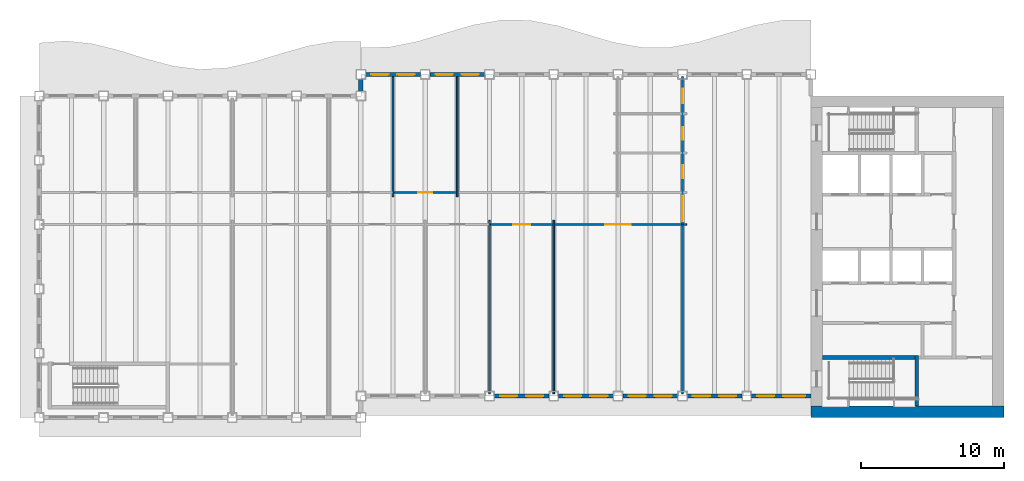
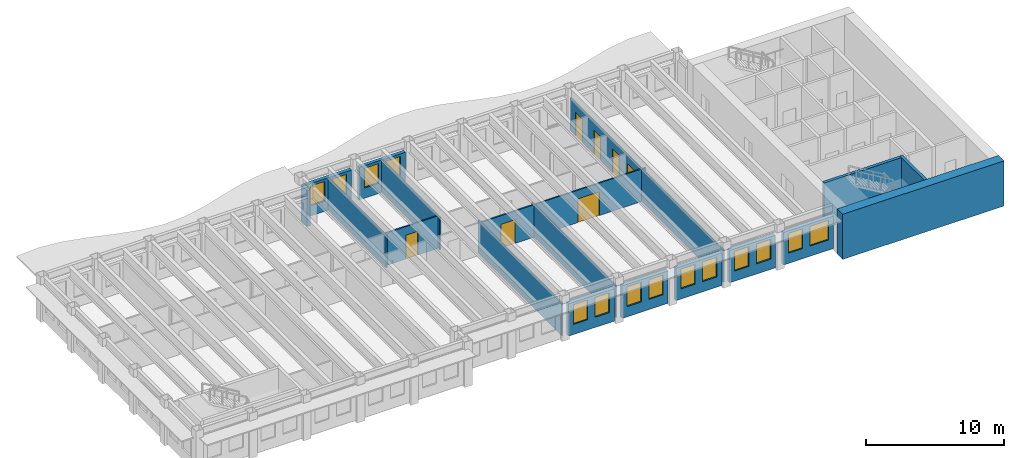
# One storey, part 4 of 12: 20 walls, 14 windows, 7 doors, 21 openings.
"""IFC4 building model written with IfcOpenShell, lengths in metres."""

from ifc_helpers import new_model, si_unit, direction, frame, frame_2d, origin, place, context, subcontext, project, spatial, rectangle, extrude, material, layer, layer_set, type_object, element, fill, save


model = new_model("IFC4")

# Units and contexts
model_context = context("Model", 3, precision=1e-05, world=origin(), true_north=direction((0.0, 1.0)))
body_context = subcontext(model_context, "Body", "Model", "MODEL_VIEW")
ifc_project = project(units=[si_unit("LENGTHUNIT", "METRE"), si_unit("AREAUNIT", "SQUARE_METRE"), si_unit("VOLUMEUNIT", "CUBIC_METRE"), si_unit("PLANEANGLEUNIT", "RADIAN"), si_unit("MASSUNIT", "GRAM", prefix="KILO")], contexts=[model_context])

# Site, building, storey
site_placement = place(None, origin())
site = spatial("IfcSite", under=ifc_project, at=site_placement, CompositionType="ELEMENT")
building_placement = place(site_placement, origin())
building = spatial("IfcBuilding", under=site, at=building_placement, Name="Sennacour Bend Tower", CompositionType="ELEMENT")
storey_placement = place(building_placement, frame((0.0, 0.0, 285.0)))
storey = spatial("IfcBuildingStorey", under=building, at=storey_placement, Name="L66", CompositionType="ELEMENT", Elevation=285.0)

# Walls
ifc_material_1 = material(Name="Concrete C50/60", Category="concrete")
ifc_layer_1 = layer(ifc_material_1, 0.800048828125, Name="Concrete C50/60", Category="concrete")
ifc_layer_set_1 = layer_set([ifc_layer_1], Name="Concrete C50/60")
wall_type_1 = type_object("IfcWallType", Name="Core wall 800 C50/60", PredefinedType="SHEAR", material=ifc_layer_set_1)
wall_1_placement = place(storey_placement, frame((67.5, 0.39990234375, -0.14990234375), z_axis=(0.0, 0.0, 1.0), x_axis=(-1.0, 0.0, 0.0)))
element("IfcWall", 1, at=wall_1_placement, inside=storey, type_object=wall_type_1, Name="Core A wall L66 S", PredefinedType="SHEAR", context=body_context, shape_type="SweptSolid", body=[
    extrude(rectangle(XDim=13.5, YDim=0.800048828125, at=frame_2d((6.75, 0.0))), origin(), (0.0, 0.0, 1.0), 4.0),
])
ifc_material_2 = material(Name="Plasterboard partition on steel studs", Category="steel")
ifc_layer_2 = layer(ifc_material_2, 0.1201171875, Name="Plasterboard partition on steel studs", Category="steel")
ifc_layer_set_2 = layer_set([ifc_layer_2], Name="Plasterboard partition on steel studs")
wall_type_2 = type_object("IfcWallType", Name="Partition 120", PredefinedType="PARTITIONING", material=ifc_layer_set_2)
for number, where, z_axis, x_axis, name in (
    (2, (24.75, 15.449951171875, 0.0), (0.0, 0.0, 1.0), (0.0, 1.0, 0.0), "P-L66-W009a"),
    (3, (29.25, 15.449951171875, 0.0), (0.0, 0.0, 1.0), (0.0, 1.0, 0.0), "P-L66-W011a"),
):
    element("IfcWall", number, at=place(storey_placement, frame(where, z_axis=z_axis, x_axis=x_axis)), inside=storey, type_object=wall_type_2, Name=name, PredefinedType="PARTITIONING", context=body_context, shape_type="SweptSolid", body=[
        extrude(rectangle(XDim=8.400146484375, YDim=0.1201171875, at=frame_2d((4.2001953125, 0.0))), origin(), (0.0, 0.0, 1.0), 2.8701171875),
    ])
for number, where, z_axis, x_axis, name in (
    (4, (31.5, 1.64990234375, 0.0), (0.0, 0.0, 1.0), (0.0, 1.0, 0.0), "P-L66-W012a"),
    (5, (36.0, 1.64990234375, 0.0), (0.0, 0.0, 1.0), (0.0, 1.0, 0.0), "P-L66-W013a"),
):
    element("IfcWall", number, at=place(storey_placement, frame(where, z_axis=z_axis, x_axis=x_axis)), inside=storey, type_object=wall_type_2, Name=name, PredefinedType="PARTITIONING", context=body_context, shape_type="SweptSolid", body=[
        extrude(rectangle(XDim=12.150146484375, YDim=0.1201171875, at=frame_2d((6.0751953125, 0.0))), origin(), (0.0, 0.0, 1.0), 2.8701171875),
    ])

# Wall, opening, door
wall_2_placement = place(storey_placement, frame((31.56005859375, 13.5, 0.0), z_axis=(0.0, 0.0, 1.0), x_axis=(1.0, 0.0, 0.0)))
wall_2 = element("IfcWall", 6, at=wall_2_placement, inside=storey, type_object=wall_type_2, Name="P-L66-W040ae", PredefinedType="PARTITIONING", context=body_context, shape_type="SweptSolid", body=[
    extrude(rectangle(XDim=4.3798828125, YDim=0.1201171875, at=frame_2d((2.18994140625, 0.0))), origin(), (0.0, 0.0, 1.0), 2.8701171875),
])
opening_1_placement = place(wall_2_placement, frame((1.58984375, 0.0, 0.0)))
opening_1 = element("IfcOpeningElement", 7, at=opening_1_placement, cuts=wall_2, Name="Opening OD", PredefinedType="OPENING", context=body_context, shape_type="SweptSolid", body=[
    extrude(rectangle(XDim=1.199951171875, YDim=2.10009765625, at=frame_2d((0.60009765625, 1.050048828125))), frame((0.0, 0.070068359375, 0.0), z_axis=(0.0, -1.0, 0.0), x_axis=(1.0, 0.0, 0.0)), (0.0, 0.0, 1.0), 0.14013671875),
])
ifc_material_3 = material(Name="Timber", Category="wood")
door_type_1 = type_object("IfcDoorType", Name="DR-OFFICE-1200", OperationType="NOTDEFINED", PredefinedType="DOOR", material=ifc_material_3)
door_1_placement = place(opening_1_placement, origin())
door_1 = element("IfcDoor", 8, at=door_1_placement, inside=storey, type_object=door_type_1, Name="Door", OperationType="SINGLE_SWING_LEFT", OverallHeight=2.10009765625, OverallWidth=1.199951171875, PredefinedType="DOOR", context=body_context, shape_type="SweptSolid", body=[
    extrude(rectangle(XDim=1.199951171875, YDim=2.10009765625, at=frame_2d((0.60009765625, 1.050048828125))), frame((0.0, 0.02490234375, 0.0), z_axis=(0.0, -1.0, 0.0), x_axis=(1.0, 0.0, 0.0)), (0.0, 0.0, 1.0), 0.050048828125),
])
fill(opening_1, door_1)

wall_3_placement = place(storey_placement, frame((36.06005859375, 13.5, 0.0), z_axis=(0.0, 0.0, 1.0), x_axis=(1.0, 0.0, 0.0)))
wall_3 = element("IfcWall", 9, at=wall_3_placement, inside=storey, type_object=wall_type_2, Name="P-L66-W040af", PredefinedType="PARTITIONING", context=body_context, shape_type="SweptSolid", body=[
    extrude(rectangle(XDim=8.8798828125, YDim=0.1201171875, at=frame_2d((4.43994140625, 0.0))), origin(), (0.0, 0.0, 1.0), 2.8701171875),
])
opening_2_placement = place(wall_3_placement, frame((3.539794921875, 0.0, 0.0)))
opening_2 = element("IfcOpeningElement", 10, at=opening_2_placement, cuts=wall_3, Name="Opening OD3", PredefinedType="OPENING", context=body_context, shape_type="SweptSolid", body=[
    extrude(rectangle(XDim=1.800048828125, YDim=2.10009765625, at=frame_2d((0.89990234375, 1.050048828125))), frame((0.0, 0.070068359375, 0.0), z_axis=(0.0, -1.0, 0.0), x_axis=(1.0, 0.0, 0.0)), (0.0, 0.0, 1.0), 0.14013671875),
])
door_type_2 = type_object("IfcDoorType", Name="DR-OFFICE-1800", OperationType="NOTDEFINED", PredefinedType="DOOR", material=ifc_material_3)
door_2_placement = place(opening_2_placement, origin())
door_2 = element("IfcDoor", 11, at=door_2_placement, inside=storey, type_object=door_type_2, Name="Door", OperationType="DOUBLE_DOOR_SINGLE_SWING", OverallHeight=2.10009765625, OverallWidth=1.800048828125, PredefinedType="DOOR", context=body_context, shape_type="SweptSolid", body=[
    extrude(rectangle(XDim=1.800048828125, YDim=2.10009765625, at=frame_2d((0.89990234375, 1.050048828125))), frame((0.0, 0.02490234375, 0.0), z_axis=(0.0, -1.0, 0.0), x_axis=(1.0, 0.0, 0.0)), (0.0, 0.0, 1.0), 0.050048828125),
])
fill(opening_2, door_2)

# Wall
wall_4_placement = place(storey_placement, frame((45.06005859375, 13.5, 0.0), z_axis=(0.0, 0.0, 1.0), x_axis=(1.0, 0.0, 0.0)))
element("IfcWall", 12, at=wall_4_placement, inside=storey, type_object=wall_type_2, Name="P-L66-W040ag", PredefinedType="PARTITIONING", context=body_context, shape_type="SweptSolid", body=[
    extrude(rectangle(XDim=0.239990234375, YDim=0.1201171875, at=frame_2d((0.1201171875, 0.0))), origin(), (0.0, 0.0, 1.0), 2.8701171875),
])

# Wall, opening, door
wall_5_placement = place(storey_placement, frame((24.81005859375, 15.75, 0.0), z_axis=(0.0, 0.0, 1.0), x_axis=(1.0, 0.0, 0.0)))
wall_5 = element("IfcWall", 13, at=wall_5_placement, inside=storey, type_object=wall_type_2, Name="P-L66-W043ae", PredefinedType="PARTITIONING", context=body_context, shape_type="SweptSolid", body=[
    extrude(rectangle(XDim=4.3798828125, YDim=0.1201171875, at=frame_2d((2.18994140625, 0.0))), origin(), (0.0, 0.0, 1.0), 2.8701171875),
])
opening_3_placement = place(wall_5_placement, frame((1.68994140625, 0.0, 0.0)))
opening_3 = element("IfcOpeningElement", 14, at=opening_3_placement, cuts=wall_5, Name="Opening OD2", PredefinedType="OPENING", context=body_context, shape_type="SweptSolid", body=[
    extrude(rectangle(XDim=1.0, YDim=2.10009765625, at=frame_2d((0.5, 1.050048828125))), frame((0.0, 0.070068359375, 0.0), z_axis=(0.0, -1.0, 0.0), x_axis=(1.0, 0.0, 0.0)), (0.0, 0.0, 1.0), 0.14013671875),
])
door_type_3 = type_object("IfcDoorType", Name="DR-OFFICE-1000", OperationType="NOTDEFINED", PredefinedType="DOOR", material=ifc_material_3)
door_3_placement = place(opening_3_placement, origin())
door_3 = element("IfcDoor", 15, at=door_3_placement, inside=storey, type_object=door_type_3, Name="Door", OperationType="SINGLE_SWING_LEFT", OverallHeight=2.10009765625, OverallWidth=1.0, PredefinedType="DOOR", context=body_context, shape_type="SweptSolid", body=[
    extrude(rectangle(XDim=1.0, YDim=2.10009765625, at=frame_2d((0.5, 1.050048828125))), frame((0.0, 0.02490234375, 0.0), z_axis=(0.0, -1.0, 0.0), x_axis=(1.0, 0.0, 0.0)), (0.0, 0.0, 1.0), 0.050048828125),
])
fill(opening_3, door_3)

# Wall, openings, doors
ifc_layer_3 = layer(ifc_material_2, 0.1201171875, Name="Plasterboard partition on steel studs", Category="steel")
ifc_layer_set_3 = layer_set([ifc_layer_3], Name="Plasterboard partition on steel studs")
wall_type_3 = type_object("IfcWallType", Name="Partition 120 EI 30", PredefinedType="PARTITIONING", material=ifc_layer_set_3)
wall_6_placement = place(storey_placement, frame((45.0, 1.64990234375, 0.0), z_axis=(0.0, 0.0, 1.0), x_axis=(0.0, 1.0, 0.0)))
wall_6 = element("IfcWall", 16, at=wall_6_placement, inside=storey, type_object=wall_type_3, Name="P-L66-W015a", PredefinedType="PARTITIONING", context=body_context, shape_type="SweptSolid", body=[
    extrude(rectangle(XDim=22.2001953125, YDim=0.1201171875, at=frame_2d((11.10009765625, 0.0))), origin(), (0.0, 0.0, 1.0), 2.8701171875),
])
opening_4_placement = place(wall_6_placement, frame((12.0751953125, 0.0, 0.0)))
opening_4 = element("IfcOpeningElement", 17, at=opening_4_placement, cuts=wall_6, Name="Opening KD3", PredefinedType="OPENING", context=body_context, shape_type="SweptSolid", body=[
    extrude(rectangle(XDim=1.800048828125, YDim=2.10009765625, at=frame_2d((0.89990234375, 1.050048828125))), frame((0.0, 0.070068359375, 0.0), z_axis=(0.0, -1.0, 0.0), x_axis=(1.0, 0.0, 0.0)), (0.0, 0.0, 1.0), 0.14013671875),
])
opening_5_placement = place(wall_6_placement, frame((15.10009765625, 0.0, 0.0)))
opening_5 = element("IfcOpeningElement", 18, at=opening_5_placement, cuts=wall_6, Name="Opening WD", PredefinedType="OPENING", context=body_context, shape_type="SweptSolid", body=[
    extrude(rectangle(XDim=0.89990234375, YDim=2.10009765625, at=frame_2d((0.449951171875, 1.050048828125))), frame((0.0, 0.070068359375, 0.0), z_axis=(0.0, -1.0, 0.0), x_axis=(1.0, 0.0, 0.0)), (0.0, 0.0, 1.0), 0.14013671875),
])
opening_6_placement = place(wall_6_placement, frame((17.775146484375, 0.0, 0.0)))
opening_6 = element("IfcOpeningElement", 19, at=opening_6_placement, cuts=wall_6, Name="Opening WD", PredefinedType="OPENING", context=body_context, shape_type="SweptSolid", body=[
    extrude(rectangle(XDim=0.89990234375, YDim=2.10009765625, at=frame_2d((0.449951171875, 1.050048828125))), frame((0.0, 0.070068359375, 0.0), z_axis=(0.0, -1.0, 0.0), x_axis=(1.0, 0.0, 0.0)), (0.0, 0.0, 1.0), 0.14013671875),
])
opening_7_placement = place(wall_6_placement, frame((20.35009765625, 0.0, 0.0)))
opening_7 = element("IfcOpeningElement", 20, at=opening_7_placement, cuts=wall_6, Name="Opening AD", PredefinedType="OPENING", context=body_context, shape_type="SweptSolid", body=[
    extrude(rectangle(XDim=1.0, YDim=2.10009765625, at=frame_2d((0.5, 1.050048828125))), frame((0.0, 0.070068359375, 0.0), z_axis=(0.0, -1.0, 0.0), x_axis=(1.0, 0.0, 0.0)), (0.0, 0.0, 1.0), 0.14013671875),
])
door_type_4 = type_object("IfcDoorType", Name="DR-ACC-WC-1000", OperationType="NOTDEFINED", PredefinedType="DOOR", material=ifc_material_3)
door_4_placement = place(opening_7_placement, origin())
door_4 = element("IfcDoor", 21, at=door_4_placement, inside=storey, type_object=door_type_4, Name="Door", OperationType="SINGLE_SWING_RIGHT", OverallHeight=2.10009765625, OverallWidth=1.0, PredefinedType="DOOR", context=body_context, shape_type="SweptSolid", body=[
    extrude(rectangle(XDim=1.0, YDim=2.10009765625, at=frame_2d((0.5, 1.050048828125))), frame((0.0, 0.02490234375, 0.0), z_axis=(0.0, -1.0, 0.0), x_axis=(1.0, 0.0, 0.0)), (0.0, 0.0, 1.0), 0.050048828125),
])
fill(opening_7, door_4)
ifc_material_4 = material(Name="Painted steel", Category="steel")
door_type_5 = type_object("IfcDoorType", Name="DR-CORRIDOR-1800", OperationType="NOTDEFINED", PredefinedType="DOOR", material=ifc_material_4)
door_5_placement = place(opening_4_placement, origin())
door_5 = element("IfcDoor", 22, at=door_5_placement, inside=storey, type_object=door_type_5, Name="Door", OperationType="DOUBLE_DOOR_SINGLE_SWING", OverallHeight=2.10009765625, OverallWidth=1.800048828125, PredefinedType="DOOR", context=body_context, shape_type="SweptSolid", body=[
    extrude(rectangle(XDim=1.800048828125, YDim=2.10009765625, at=frame_2d((0.89990234375, 1.050048828125))), frame((0.0, 0.02490234375, 0.0), z_axis=(0.0, -1.0, 0.0), x_axis=(1.0, 0.0, 0.0)), (0.0, 0.0, 1.0), 0.050048828125),
])
fill(opening_4, door_5)
door_type_6 = type_object("IfcDoorType", Name="DR-WC-900", OperationType="NOTDEFINED", PredefinedType="DOOR", material=ifc_material_3)
door_6_placement = place(opening_5_placement, origin())
door_6 = element("IfcDoor", 23, at=door_6_placement, inside=storey, type_object=door_type_6, Name="Door", OperationType="SINGLE_SWING_RIGHT", OverallHeight=2.10009765625, OverallWidth=0.89990234375, PredefinedType="DOOR", context=body_context, shape_type="SweptSolid", body=[
    extrude(rectangle(XDim=0.89990234375, YDim=2.10009765625, at=frame_2d((0.449951171875, 1.050048828125))), frame((0.0, 0.02490234375, 0.0), z_axis=(0.0, -1.0, 0.0), x_axis=(1.0, 0.0, 0.0)), (0.0, 0.0, 1.0), 0.050048828125),
])
fill(opening_5, door_6)
door_7_placement = place(opening_6_placement, origin())
door_7 = element("IfcDoor", 24, at=door_7_placement, inside=storey, type_object=door_type_6, Name="Door", OperationType="SINGLE_SWING_RIGHT", OverallHeight=2.10009765625, OverallWidth=0.89990234375, PredefinedType="DOOR", context=body_context, shape_type="SweptSolid", body=[
    extrude(rectangle(XDim=0.89990234375, YDim=2.10009765625, at=frame_2d((0.449951171875, 1.050048828125))), frame((0.0, 0.02490234375, 0.0), z_axis=(0.0, -1.0, 0.0), x_axis=(1.0, 0.0, 0.0)), (0.0, 0.0, 1.0), 0.050048828125),
])
fill(opening_6, door_7)

# Wall, openings, windows
ifc_material_5 = material(Name="Warm limestone cladding", Category="masonry")
ifc_layer_4 = layer(ifc_material_5, 0.050048828125, Name="Warm limestone cladding", Category="masonry")
ifc_material_6 = material(Name="Precast concrete C40/50", Category="concrete")
ifc_layer_5 = layer(ifc_material_6, 0.25, Name="Precast concrete C40/50", Category="concrete")
ifc_layer_set_4 = layer_set([ifc_layer_4, ifc_layer_5], Name="Precast concrete C40/50 with limestone cladding")
wall_type_4 = type_object("IfcWallType", Name="STONE-CLAD PRECAST SPANDREL 300", PredefinedType="STANDARD", material=ifc_layer_set_4)
wall_7_placement = place(storey_placement, frame((31.824951171875, 1.5, 0.0), z_axis=(0.0, 0.0, 1.0), x_axis=(1.0, 0.0, 0.0)))
wall_7 = element("IfcWall", 25, at=wall_7_placement, inside=storey, type_object=wall_type_4, Name="Stone spandrel and pier wall L66 01.02", PredefinedType="STANDARD", context=body_context, shape_type="SweptSolid", body=[
    extrude(rectangle(XDim=3.85009765625, YDim=0.300048828125, at=frame_2d((1.925048828125, 0.0))), origin(), (0.0, 0.0, 1.0), 2.8701171875),
])
opening_8_placement = place(wall_7_placement, frame((0.41259765625, 0.0, 0.89990234375)))
opening_8 = element("IfcOpeningElement", 26, at=opening_8_placement, cuts=wall_7, Name="Opening W16", PredefinedType="OPENING", context=body_context, shape_type="SweptSolid", body=[
    extrude(rectangle(XDim=1.199951171875, YDim=1.75, at=frame_2d((0.60009765625, 0.875))), frame((0.0, 0.16015625, 0.0), z_axis=(0.0, -1.0, 0.0), x_axis=(1.0, 0.0, 0.0)), (0.0, 0.0, 1.0), 0.320068359375),
])
opening_9_placement = place(wall_7_placement, frame((2.237548828125, 0.0, 0.89990234375)))
opening_9 = element("IfcOpeningElement", 27, at=opening_9_placement, cuts=wall_7, Name="Opening W16", PredefinedType="OPENING", context=body_context, shape_type="SweptSolid", body=[
    extrude(rectangle(XDim=1.199951171875, YDim=1.75, at=frame_2d((0.60009765625, 0.875))), frame((0.0, 0.16015625, 0.0), z_axis=(0.0, -1.0, 0.0), x_axis=(1.0, 0.0, 0.0)), (0.0, 0.0, 1.0), 0.320068359375),
])
ifc_material_7 = material(Name="Clear low-emissivity glass", Category="glass")
window_type_1 = type_object("IfcWindowType", Name="WIN-RIBBON-1200x1750", PartitioningType="SINGLE_PANEL", PredefinedType="WINDOW", material=ifc_material_7)
window_1_placement = place(opening_8_placement, origin())
window_1 = element("IfcWindow", 28, at=window_1_placement, inside=storey, type_object=window_type_1, Name="Ribbon window L66 01.02.0", OverallHeight=1.75, OverallWidth=1.199951171875, PartitioningType="SINGLE_PANEL", PredefinedType="WINDOW", context=body_context, shape_type="SweptSolid", body=[
    extrude(rectangle(XDim=1.199951171875, YDim=1.75, at=frame_2d((0.60009765625, 0.875))), frame((0.0, 0.030029296875, 0.0), z_axis=(0.0, -1.0, 0.0), x_axis=(1.0, 0.0, 0.0)), (0.0, 0.0, 1.0), 0.06005859375),
])
fill(opening_8, window_1)
window_2_placement = place(opening_9_placement, origin())
window_2 = element("IfcWindow", 29, at=window_2_placement, inside=storey, type_object=window_type_1, Name="Ribbon window L66 01.02.1", OverallHeight=1.75, OverallWidth=1.199951171875, PartitioningType="SINGLE_PANEL", PredefinedType="WINDOW", context=body_context, shape_type="SweptSolid", body=[
    extrude(rectangle(XDim=1.199951171875, YDim=1.75, at=frame_2d((0.60009765625, 0.875))), frame((0.0, 0.030029296875, 0.0), z_axis=(0.0, -1.0, 0.0), x_axis=(1.0, 0.0, 0.0)), (0.0, 0.0, 1.0), 0.06005859375),
])
fill(opening_9, window_2)

wall_8_placement = place(storey_placement, frame((36.324951171875, 1.5, 0.0), z_axis=(0.0, 0.0, 1.0), x_axis=(1.0, 0.0, 0.0)))
wall_8 = element("IfcWall", 30, at=wall_8_placement, inside=storey, type_object=wall_type_4, Name="Stone spandrel and pier wall L66 01.03", PredefinedType="STANDARD", context=body_context, shape_type="SweptSolid", body=[
    extrude(rectangle(XDim=3.85009765625, YDim=0.300048828125, at=frame_2d((1.925048828125, 0.0))), origin(), (0.0, 0.0, 1.0), 2.8701171875),
])
opening_10_placement = place(wall_8_placement, frame((0.41259765625, 0.0, 0.89990234375)))
opening_10 = element("IfcOpeningElement", 31, at=opening_10_placement, cuts=wall_8, Name="Opening W16", PredefinedType="OPENING", context=body_context, shape_type="SweptSolid", body=[
    extrude(rectangle(XDim=1.199951171875, YDim=1.75, at=frame_2d((0.60009765625, 0.875))), frame((0.0, 0.16015625, 0.0), z_axis=(0.0, -1.0, 0.0), x_axis=(1.0, 0.0, 0.0)), (0.0, 0.0, 1.0), 0.320068359375),
])
opening_11_placement = place(wall_8_placement, frame((2.237548828125, 0.0, 0.89990234375)))
opening_11 = element("IfcOpeningElement", 32, at=opening_11_placement, cuts=wall_8, Name="Opening W16", PredefinedType="OPENING", context=body_context, shape_type="SweptSolid", body=[
    extrude(rectangle(XDim=1.199951171875, YDim=1.75, at=frame_2d((0.60009765625, 0.875))), frame((0.0, 0.16015625, 0.0), z_axis=(0.0, -1.0, 0.0), x_axis=(1.0, 0.0, 0.0)), (0.0, 0.0, 1.0), 0.320068359375),
])
window_3_placement = place(opening_10_placement, origin())
window_3 = element("IfcWindow", 33, at=window_3_placement, inside=storey, type_object=window_type_1, Name="Ribbon window L66 01.03.0", OverallHeight=1.75, OverallWidth=1.199951171875, PartitioningType="SINGLE_PANEL", PredefinedType="WINDOW", context=body_context, shape_type="SweptSolid", body=[
    extrude(rectangle(XDim=1.199951171875, YDim=1.75, at=frame_2d((0.60009765625, 0.875))), frame((0.0, 0.030029296875, 0.0), z_axis=(0.0, -1.0, 0.0), x_axis=(1.0, 0.0, 0.0)), (0.0, 0.0, 1.0), 0.06005859375),
])
fill(opening_10, window_3)
window_4_placement = place(opening_11_placement, origin())
window_4 = element("IfcWindow", 34, at=window_4_placement, inside=storey, type_object=window_type_1, Name="Ribbon window L66 01.03.1", OverallHeight=1.75, OverallWidth=1.199951171875, PartitioningType="SINGLE_PANEL", PredefinedType="WINDOW", context=body_context, shape_type="SweptSolid", body=[
    extrude(rectangle(XDim=1.199951171875, YDim=1.75, at=frame_2d((0.60009765625, 0.875))), frame((0.0, 0.030029296875, 0.0), z_axis=(0.0, -1.0, 0.0), x_axis=(1.0, 0.0, 0.0)), (0.0, 0.0, 1.0), 0.06005859375),
])
fill(opening_11, window_4)

wall_9_placement = place(storey_placement, frame((40.824951171875, 1.5, 0.0), z_axis=(0.0, 0.0, 1.0), x_axis=(1.0, 0.0, 0.0)))
wall_9 = element("IfcWall", 35, at=wall_9_placement, inside=storey, type_object=wall_type_4, Name="Stone spandrel and pier wall L66 01.04", PredefinedType="STANDARD", context=body_context, shape_type="SweptSolid", body=[
    extrude(rectangle(XDim=3.85009765625, YDim=0.300048828125, at=frame_2d((1.925048828125, 0.0))), origin(), (0.0, 0.0, 1.0), 2.8701171875),
])
opening_12_placement = place(wall_9_placement, frame((0.41259765625, 0.0, 0.89990234375)))
opening_12 = element("IfcOpeningElement", 36, at=opening_12_placement, cuts=wall_9, Name="Opening W16", PredefinedType="OPENING", context=body_context, shape_type="SweptSolid", body=[
    extrude(rectangle(XDim=1.199951171875, YDim=1.75, at=frame_2d((0.60009765625, 0.875))), frame((0.0, 0.16015625, 0.0), z_axis=(0.0, -1.0, 0.0), x_axis=(1.0, 0.0, 0.0)), (0.0, 0.0, 1.0), 0.320068359375),
])
opening_13_placement = place(wall_9_placement, frame((2.237548828125, 0.0, 0.89990234375)))
opening_13 = element("IfcOpeningElement", 37, at=opening_13_placement, cuts=wall_9, Name="Opening W16", PredefinedType="OPENING", context=body_context, shape_type="SweptSolid", body=[
    extrude(rectangle(XDim=1.199951171875, YDim=1.75, at=frame_2d((0.60009765625, 0.875))), frame((0.0, 0.16015625, 0.0), z_axis=(0.0, -1.0, 0.0), x_axis=(1.0, 0.0, 0.0)), (0.0, 0.0, 1.0), 0.320068359375),
])
window_5_placement = place(opening_12_placement, origin())
window_5 = element("IfcWindow", 38, at=window_5_placement, inside=storey, type_object=window_type_1, Name="Ribbon window L66 01.04.0", OverallHeight=1.75, OverallWidth=1.199951171875, PartitioningType="SINGLE_PANEL", PredefinedType="WINDOW", context=body_context, shape_type="SweptSolid", body=[
    extrude(rectangle(XDim=1.199951171875, YDim=1.75, at=frame_2d((0.60009765625, 0.875))), frame((0.0, 0.030029296875, 0.0), z_axis=(0.0, -1.0, 0.0), x_axis=(1.0, 0.0, 0.0)), (0.0, 0.0, 1.0), 0.06005859375),
])
fill(opening_12, window_5)
window_6_placement = place(opening_13_placement, origin())
window_6 = element("IfcWindow", 39, at=window_6_placement, inside=storey, type_object=window_type_1, Name="Ribbon window L66 01.04.1", OverallHeight=1.75, OverallWidth=1.199951171875, PartitioningType="SINGLE_PANEL", PredefinedType="WINDOW", context=body_context, shape_type="SweptSolid", body=[
    extrude(rectangle(XDim=1.199951171875, YDim=1.75, at=frame_2d((0.60009765625, 0.875))), frame((0.0, 0.030029296875, 0.0), z_axis=(0.0, -1.0, 0.0), x_axis=(1.0, 0.0, 0.0)), (0.0, 0.0, 1.0), 0.06005859375),
])
fill(opening_13, window_6)

wall_10_placement = place(storey_placement, frame((45.324951171875, 1.5, 0.0), z_axis=(0.0, 0.0, 1.0), x_axis=(1.0, 0.0, 0.0)))
wall_10 = element("IfcWall", 40, at=wall_10_placement, inside=storey, type_object=wall_type_4, Name="Stone spandrel and pier wall L66 01.05", PredefinedType="STANDARD", context=body_context, shape_type="SweptSolid", body=[
    extrude(rectangle(XDim=3.85009765625, YDim=0.300048828125, at=frame_2d((1.925048828125, 0.0))), origin(), (0.0, 0.0, 1.0), 2.8701171875),
])
opening_14_placement = place(wall_10_placement, frame((0.41259765625, 0.0, 0.89990234375)))
opening_14 = element("IfcOpeningElement", 41, at=opening_14_placement, cuts=wall_10, Name="Opening W16", PredefinedType="OPENING", context=body_context, shape_type="SweptSolid", body=[
    extrude(rectangle(XDim=1.199951171875, YDim=1.75, at=frame_2d((0.60009765625, 0.875))), frame((0.0, 0.16015625, 0.0), z_axis=(0.0, -1.0, 0.0), x_axis=(1.0, 0.0, 0.0)), (0.0, 0.0, 1.0), 0.320068359375),
])
opening_15_placement = place(wall_10_placement, frame((2.237548828125, 0.0, 0.89990234375)))
opening_15 = element("IfcOpeningElement", 42, at=opening_15_placement, cuts=wall_10, Name="Opening W16", PredefinedType="OPENING", context=body_context, shape_type="SweptSolid", body=[
    extrude(rectangle(XDim=1.199951171875, YDim=1.75, at=frame_2d((0.60009765625, 0.875))), frame((0.0, 0.16015625, 0.0), z_axis=(0.0, -1.0, 0.0), x_axis=(1.0, 0.0, 0.0)), (0.0, 0.0, 1.0), 0.320068359375),
])
window_7_placement = place(opening_14_placement, origin())
window_7 = element("IfcWindow", 43, at=window_7_placement, inside=storey, type_object=window_type_1, Name="Ribbon window L66 01.05.0", OverallHeight=1.75, OverallWidth=1.199951171875, PartitioningType="SINGLE_PANEL", PredefinedType="WINDOW", context=body_context, shape_type="SweptSolid", body=[
    extrude(rectangle(XDim=1.199951171875, YDim=1.75, at=frame_2d((0.60009765625, 0.875))), frame((0.0, 0.030029296875, 0.0), z_axis=(0.0, -1.0, 0.0), x_axis=(1.0, 0.0, 0.0)), (0.0, 0.0, 1.0), 0.06005859375),
])
fill(opening_14, window_7)
window_8_placement = place(opening_15_placement, origin())
window_8 = element("IfcWindow", 44, at=window_8_placement, inside=storey, type_object=window_type_1, Name="Ribbon window L66 01.05.1", OverallHeight=1.75, OverallWidth=1.199951171875, PartitioningType="SINGLE_PANEL", PredefinedType="WINDOW", context=body_context, shape_type="SweptSolid", body=[
    extrude(rectangle(XDim=1.199951171875, YDim=1.75, at=frame_2d((0.60009765625, 0.875))), frame((0.0, 0.030029296875, 0.0), z_axis=(0.0, -1.0, 0.0), x_axis=(1.0, 0.0, 0.0)), (0.0, 0.0, 1.0), 0.06005859375),
])
fill(opening_15, window_8)

wall_11_placement = place(storey_placement, frame((49.824951171875, 1.5, 0.0), z_axis=(0.0, 0.0, 1.0), x_axis=(1.0, 0.0, 0.0)))
wall_11 = element("IfcWall", 45, at=wall_11_placement, inside=storey, type_object=wall_type_4, Name="Stone spandrel and pier wall L66 01.06", PredefinedType="STANDARD", context=body_context, shape_type="SweptSolid", body=[
    extrude(rectangle(XDim=4.175048828125, YDim=0.300048828125, at=frame_2d((2.08740234375, 0.0))), origin(), (0.0, 0.0, 1.0), 2.8701171875),
])
opening_16_placement = place(wall_11_placement, frame((0.41259765625, 0.0, 0.89990234375)))
opening_16 = element("IfcOpeningElement", 46, at=opening_16_placement, cuts=wall_11, Name="Opening W16", PredefinedType="OPENING", context=body_context, shape_type="SweptSolid", body=[
    extrude(rectangle(XDim=1.199951171875, YDim=1.75, at=frame_2d((0.60009765625, 0.875))), frame((0.0, 0.16015625, 0.0), z_axis=(0.0, -1.0, 0.0), x_axis=(1.0, 0.0, 0.0)), (0.0, 0.0, 1.0), 0.320068359375),
])
opening_17_placement = place(wall_11_placement, frame((2.22509765625, 0.0, 0.89990234375)))
opening_17 = element("IfcOpeningElement", 47, at=opening_17_placement, cuts=wall_11, Name="Opening W12", PredefinedType="OPENING", context=body_context, shape_type="SweptSolid", body=[
    extrude(rectangle(XDim=1.550048828125, YDim=1.75, at=frame_2d((0.77490234375, 0.875))), frame((0.0, 0.16015625, 0.0), z_axis=(0.0, -1.0, 0.0), x_axis=(1.0, 0.0, 0.0)), (0.0, 0.0, 1.0), 0.320068359375),
])
window_9_placement = place(opening_16_placement, origin())
window_9 = element("IfcWindow", 48, at=window_9_placement, inside=storey, type_object=window_type_1, Name="Ribbon window L66 01.06.0", OverallHeight=1.75, OverallWidth=1.199951171875, PartitioningType="SINGLE_PANEL", PredefinedType="WINDOW", context=body_context, shape_type="SweptSolid", body=[
    extrude(rectangle(XDim=1.199951171875, YDim=1.75, at=frame_2d((0.60009765625, 0.875))), frame((0.0, 0.030029296875, 0.0), z_axis=(0.0, -1.0, 0.0), x_axis=(1.0, 0.0, 0.0)), (0.0, 0.0, 1.0), 0.06005859375),
])
fill(opening_16, window_9)
window_type_2 = type_object("IfcWindowType", Name="WIN-RIBBON-1550x1750", PartitioningType="SINGLE_PANEL", PredefinedType="WINDOW", material=ifc_material_7)
window_10_placement = place(opening_17_placement, origin())
window_10 = element("IfcWindow", 49, at=window_10_placement, inside=storey, type_object=window_type_2, Name="Ribbon window L66 01.06.1", OverallHeight=1.75, OverallWidth=1.550048828125, PartitioningType="SINGLE_PANEL", PredefinedType="WINDOW", context=body_context, shape_type="SweptSolid", body=[
    extrude(rectangle(XDim=1.550048828125, YDim=1.75, at=frame_2d((0.77490234375, 0.875))), frame((0.0, 0.030029296875, 0.0), z_axis=(0.0, -1.0, 0.0), x_axis=(1.0, 0.0, 0.0)), (0.0, 0.0, 1.0), 0.06005859375),
])
fill(opening_17, window_10)

wall_12_placement = place(storey_placement, frame((31.175048828125, 24.0, 0.0), z_axis=(0.0, 0.0, 1.0), x_axis=(-1.0, 0.0, 0.0)))
wall_12 = element("IfcWall", 50, at=wall_12_placement, inside=storey, type_object=wall_type_4, Name="Stone spandrel and pier wall L66 07.05", PredefinedType="STANDARD", context=body_context, shape_type="SweptSolid", body=[
    extrude(rectangle(XDim=3.85009765625, YDim=0.300048828125, at=frame_2d((1.925048828125, 0.0))), origin(), (0.0, 0.0, 1.0), 2.8701171875),
])
opening_18_placement = place(wall_12_placement, frame((0.41259765625, 0.0, 0.89990234375)))
opening_18 = element("IfcOpeningElement", 51, at=opening_18_placement, cuts=wall_12, Name="Opening W16", PredefinedType="OPENING", context=body_context, shape_type="SweptSolid", body=[
    extrude(rectangle(XDim=1.199951171875, YDim=1.75, at=frame_2d((0.60009765625, 0.875))), frame((0.0, 0.16015625, 0.0), z_axis=(0.0, -1.0, 0.0), x_axis=(1.0, 0.0, 0.0)), (0.0, 0.0, 1.0), 0.320068359375),
])
opening_19_placement = place(wall_12_placement, frame((2.237548828125, 0.0, 0.89990234375)))
opening_19 = element("IfcOpeningElement", 52, at=opening_19_placement, cuts=wall_12, Name="Opening W16", PredefinedType="OPENING", context=body_context, shape_type="SweptSolid", body=[
    extrude(rectangle(XDim=1.199951171875, YDim=1.75, at=frame_2d((0.60009765625, 0.875))), frame((0.0, 0.16015625, 0.0), z_axis=(0.0, -1.0, 0.0), x_axis=(1.0, 0.0, 0.0)), (0.0, 0.0, 1.0), 0.320068359375),
])
window_11_placement = place(opening_18_placement, origin())
window_11 = element("IfcWindow", 53, at=window_11_placement, inside=storey, type_object=window_type_1, Name="Ribbon window L66 07.05.0", OverallHeight=1.75, OverallWidth=1.199951171875, PartitioningType="SINGLE_PANEL", PredefinedType="WINDOW", context=body_context, shape_type="SweptSolid", body=[
    extrude(rectangle(XDim=1.199951171875, YDim=1.75, at=frame_2d((0.60009765625, 0.875))), frame((0.0, 0.030029296875, 0.0), z_axis=(0.0, -1.0, 0.0), x_axis=(1.0, 0.0, 0.0)), (0.0, 0.0, 1.0), 0.06005859375),
])
fill(opening_18, window_11)
window_12_placement = place(opening_19_placement, origin())
window_12 = element("IfcWindow", 54, at=window_12_placement, inside=storey, type_object=window_type_1, Name="Ribbon window L66 07.05.1", OverallHeight=1.75, OverallWidth=1.199951171875, PartitioningType="SINGLE_PANEL", PredefinedType="WINDOW", context=body_context, shape_type="SweptSolid", body=[
    extrude(rectangle(XDim=1.199951171875, YDim=1.75, at=frame_2d((0.60009765625, 0.875))), frame((0.0, 0.030029296875, 0.0), z_axis=(0.0, -1.0, 0.0), x_axis=(1.0, 0.0, 0.0)), (0.0, 0.0, 1.0), 0.06005859375),
])
fill(opening_19, window_12)

wall_13_placement = place(storey_placement, frame((26.675048828125, 24.0, 0.0), z_axis=(0.0, 0.0, 1.0), x_axis=(-1.0, 0.0, 0.0)))
wall_13 = element("IfcWall", 55, at=wall_13_placement, inside=storey, type_object=wall_type_4, Name="Stone spandrel and pier wall L66 07.06", PredefinedType="STANDARD", context=body_context, shape_type="SweptSolid", body=[
    extrude(rectangle(XDim=3.85009765625, YDim=0.300048828125, at=frame_2d((1.925048828125, 0.0))), origin(), (0.0, 0.0, 1.0), 2.8701171875),
])
opening_20_placement = place(wall_13_placement, frame((0.41259765625, 0.0, 0.89990234375)))
opening_20 = element("IfcOpeningElement", 56, at=opening_20_placement, cuts=wall_13, Name="Opening W16", PredefinedType="OPENING", context=body_context, shape_type="SweptSolid", body=[
    extrude(rectangle(XDim=1.199951171875, YDim=1.75, at=frame_2d((0.60009765625, 0.875))), frame((0.0, 0.16015625, 0.0), z_axis=(0.0, -1.0, 0.0), x_axis=(1.0, 0.0, 0.0)), (0.0, 0.0, 1.0), 0.320068359375),
])
opening_21_placement = place(wall_13_placement, frame((2.237548828125, 0.0, 0.89990234375)))
opening_21 = element("IfcOpeningElement", 57, at=opening_21_placement, cuts=wall_13, Name="Opening W16", PredefinedType="OPENING", context=body_context, shape_type="SweptSolid", body=[
    extrude(rectangle(XDim=1.199951171875, YDim=1.75, at=frame_2d((0.60009765625, 0.875))), frame((0.0, 0.16015625, 0.0), z_axis=(0.0, -1.0, 0.0), x_axis=(1.0, 0.0, 0.0)), (0.0, 0.0, 1.0), 0.320068359375),
])
window_13_placement = place(opening_20_placement, origin())
window_13 = element("IfcWindow", 58, at=window_13_placement, inside=storey, type_object=window_type_1, Name="Ribbon window L66 07.06.0", OverallHeight=1.75, OverallWidth=1.199951171875, PartitioningType="SINGLE_PANEL", PredefinedType="WINDOW", context=body_context, shape_type="SweptSolid", body=[
    extrude(rectangle(XDim=1.199951171875, YDim=1.75, at=frame_2d((0.60009765625, 0.875))), frame((0.0, 0.030029296875, 0.0), z_axis=(0.0, -1.0, 0.0), x_axis=(1.0, 0.0, 0.0)), (0.0, 0.0, 1.0), 0.06005859375),
])
fill(opening_20, window_13)
window_14_placement = place(opening_21_placement, origin())
window_14 = element("IfcWindow", 59, at=window_14_placement, inside=storey, type_object=window_type_1, Name="Ribbon window L66 07.06.1", OverallHeight=1.75, OverallWidth=1.199951171875, PartitioningType="SINGLE_PANEL", PredefinedType="WINDOW", context=body_context, shape_type="SweptSolid", body=[
    extrude(rectangle(XDim=1.199951171875, YDim=1.75, at=frame_2d((0.60009765625, 0.875))), frame((0.0, 0.030029296875, 0.0), z_axis=(0.0, -1.0, 0.0), x_axis=(1.0, 0.0, 0.0)), (0.0, 0.0, 1.0), 0.06005859375),
])
fill(opening_21, window_14)

# Walls
wall_14_placement = place(storey_placement, frame((22.5, 23.675048828125, 0.0), z_axis=(0.0, 0.0, 1.0), x_axis=(0.0, -1.0, 0.0)))
element("IfcWall", 60, at=wall_14_placement, inside=storey, type_object=wall_type_4, Name="Stone spandrel and pier wall L66 08.00", PredefinedType="STANDARD", context=body_context, shape_type="SweptSolid", body=[
    extrude(rectangle(XDim=0.85009765625, YDim=0.300048828125, at=frame_2d((0.425048828125, 0.0))), origin(), (0.0, 0.0, 1.0), 3.162109375),
])
ifc_material_8 = material(Name="Concrete C60/75", Category="concrete")
ifc_layer_6 = layer(ifc_material_8, 0.25, Name="Concrete C60/75", Category="concrete")
ifc_layer_set_5 = layer_set([ifc_layer_6], Name="Concrete C60/75")
wall_type_5 = type_object("IfcWallType", Name="Stair wall 250", PredefinedType="SHEAR", material=ifc_layer_set_5)
wall_15_placement = place(storey_placement, frame((61.39990234375, 0.800048828125, 0.0), z_axis=(0.0, 0.0, 1.0), x_axis=(0.0, 1.0, 0.0)))
element("IfcWall", 61, at=wall_15_placement, inside=storey, type_object=wall_type_5, Name="P-L66-W022", PredefinedType="SHEAR", context=body_context, shape_type="SweptSolid", body=[
    extrude(rectangle(XDim=3.52490234375, YDim=0.25, at=frame_2d((1.762451171875, 0.0))), origin(), (0.0, 0.0, 1.0), 3.85009765625),
])
wall_16_placement = place(storey_placement, frame((54.800048828125, 4.199951171875, 0.0), z_axis=(0.0, 0.0, 1.0), x_axis=(1.0, 0.0, 0.0)))
element("IfcWall", 62, at=wall_16_placement, inside=storey, type_object=wall_type_5, Name="P-L66-W035", PredefinedType="SHEAR", context=body_context, shape_type="SweptSolid", body=[
    extrude(rectangle(XDim=6.474853515625, YDim=0.25, at=frame_2d((3.2373046875, 0.0))), origin(), (0.0, 0.0, 1.0), 3.85009765625),
])

save(model, "model.ifc")
